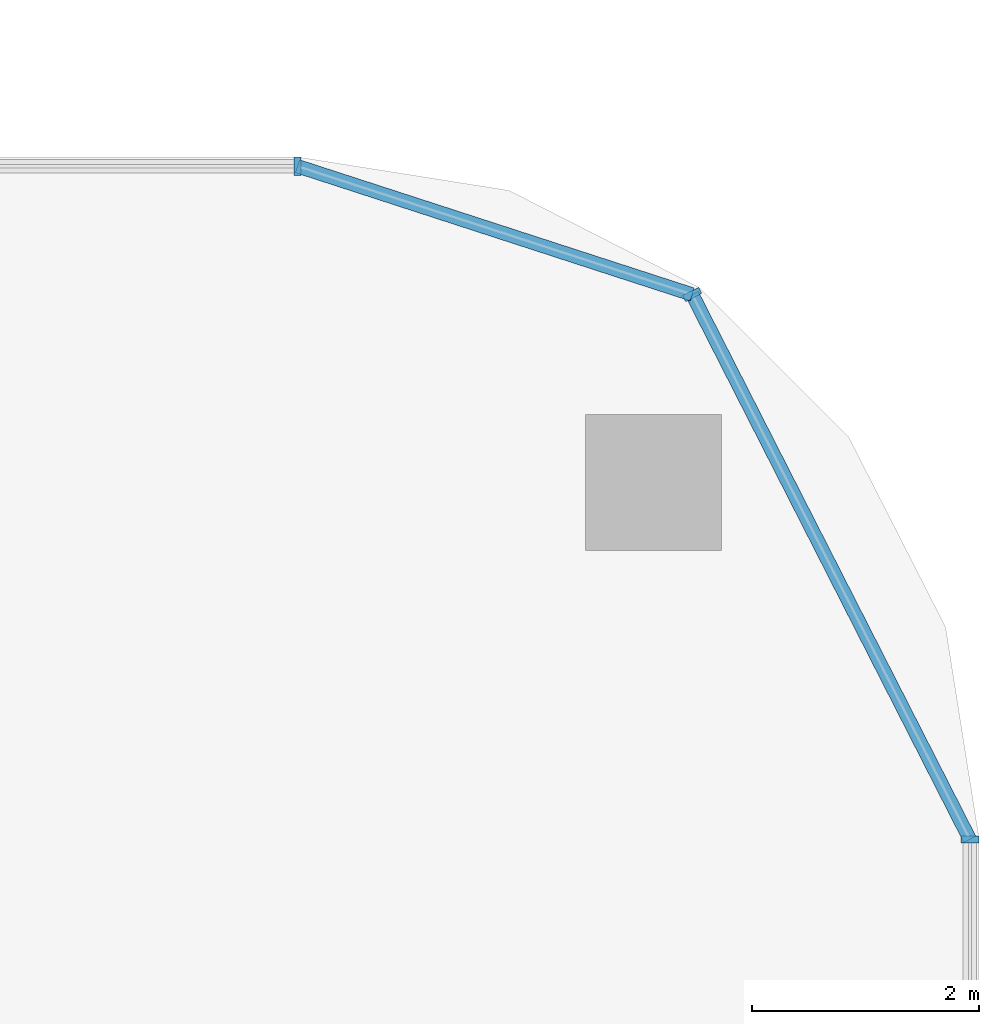
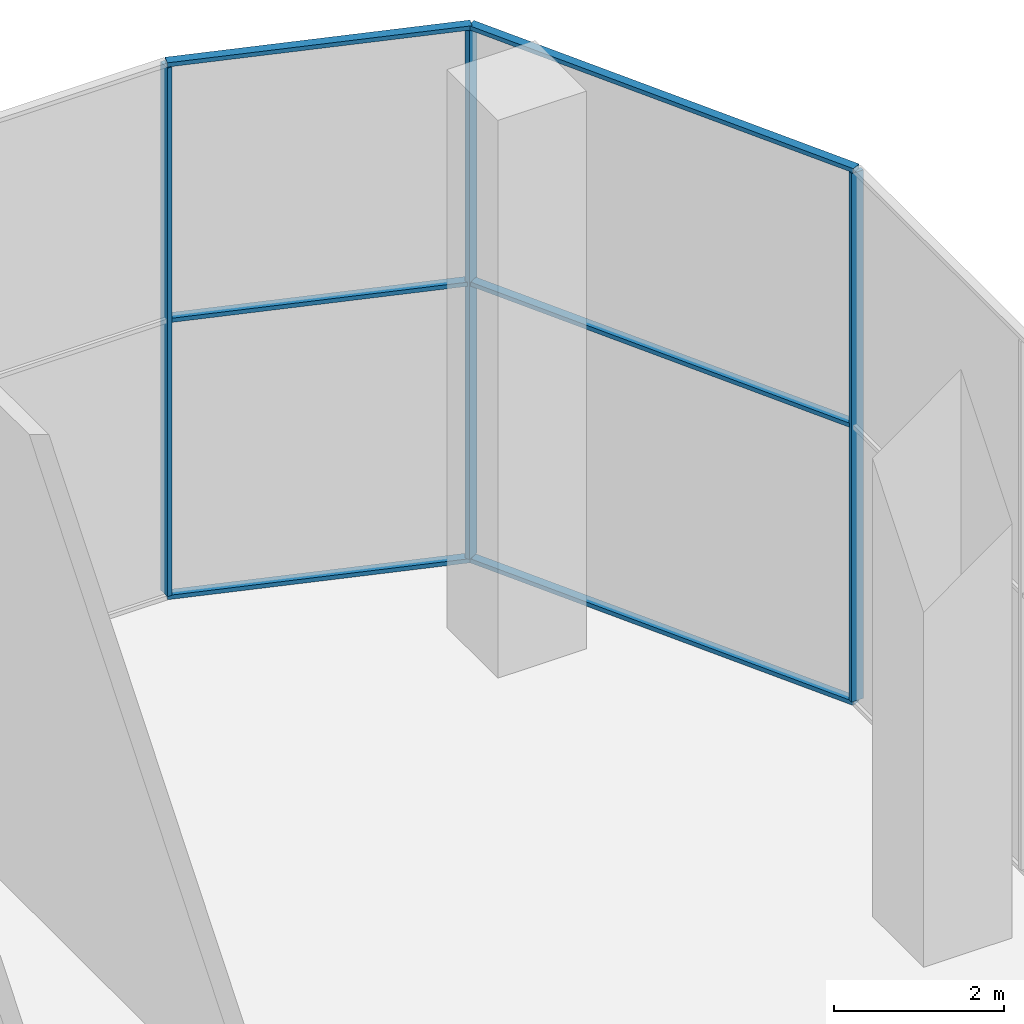
# One storey, part 21 of 54: 9 members, 3 elements without a shape of their own.
"""IFC4 building model written with IfcOpenShell, lengths in metres."""

from ifc_helpers import new_model, si_unit, direction, frame, origin, origin_2d, place, context, subcontext, project, spatial, rectangle, extrude, material, material_profile, profile_set, type_object, element, aggregate, save


model = new_model("IFC4")

# Units and contexts
model_context = context("Model", 3, precision=1e-05, world=origin(), true_north=direction((0.0, 1.0)))
body_context = subcontext(model_context, "Body", "Model", "MODEL_VIEW")
ifc_project = project(units=[si_unit("LENGTHUNIT", "METRE"), si_unit("AREAUNIT", "SQUARE_METRE"), si_unit("VOLUMEUNIT", "CUBIC_METRE"), si_unit("PLANEANGLEUNIT", "RADIAN"), si_unit("MASSUNIT", "GRAM", prefix="KILO")], contexts=[model_context])

# Site, building, storey
site_placement = place(None, origin())
site = spatial("IfcSite", under=ifc_project, at=site_placement, CompositionType="ELEMENT")
building_placement = place(site_placement, origin())
building = spatial("IfcBuilding", under=site, at=building_placement, Name="Ogive Portal Towers", CompositionType="ELEMENT")
storey_placement = place(building_placement, origin())
storey = spatial("IfcBuildingStorey", under=building, at=storey_placement, Name="L00", CompositionType="ELEMENT", Elevation=0.0)

# Curtain wall, member
ifc_material_1 = material(Name="Glass, clear low-iron insulated glazing", Category="glass")
curtain_wall_type = type_object("IfcCurtainWallType", Name="CW PODIUM SHOPFRONT", PredefinedType="NOTDEFINED", material=ifc_material_1)
curtain_wall_1_placement = place(storey_placement, origin())
curtain_wall_1 = element("IfcCurtainWall", 1, at=curtain_wall_1_placement, inside=storey, type_object=curtain_wall_type, Name="B:L00:f05:cw1", PredefinedType="NOTDEFINED")
ifc_material_2 = material(Name="Aluminium 6063 anodised", Category="aluminium")
ifc_material_profile_1 = material_profile(ifc_material_2, rectangle(XDim=0.159912109375, YDim=0.06005859375, at=origin_2d()), Name="AL 60x160")
ifc_profile_set_1 = profile_set([ifc_material_profile_1], Name="Aluminium 6063 anodised")
member_type_1 = type_object("IfcMemberType", Name="CW MULLION 60x160", PredefinedType="MULLION", material=ifc_profile_set_1)
member_1_placement = place(storey_placement, frame((159.919921875, 43.980712890625, 0.06005859375), z_axis=(0.0, 0.0, 1.0), x_axis=(-1.0, 0.0, 0.0)))
member_1 = element("IfcMember", 2, at=member_1_placement, type_object=member_type_1, Name="mullion", PredefinedType="MULLION", context=body_context, shape_type="SweptSolid", body=[
    extrude(rectangle(XDim=0.159912109375, YDim=0.06005859375, at=origin_2d()), origin(), (0.0, 0.0, 1.0), 7.579833984375),
])
aggregate(curtain_wall_1, [member_1])

curtain_wall_2_placement = place(storey_placement, origin())
curtain_wall_2 = element("IfcCurtainWall", 3, at=curtain_wall_2_placement, inside=storey, type_object=curtain_wall_type, Name="B:L00:f08:cw0", PredefinedType="NOTDEFINED")
member_2_placement = place(storey_placement, frame((153.9873046875, 49.919921875, 0.06005859375), z_axis=(0.0, 0.0, 1.0), x_axis=(0.0, -1.0, 0.0)))
member_2 = element("IfcMember", 4, at=member_2_placement, type_object=member_type_1, Name="mullion", PredefinedType="MULLION", context=body_context, shape_type="SweptSolid", body=[
    extrude(rectangle(XDim=0.159912109375, YDim=0.06005859375, at=origin_2d()), origin(), (0.0, 0.0, 1.0), 7.579833984375),
])
aggregate(curtain_wall_2, [member_2])

# Curtain wall, members
curtain_wall_3_placement = place(storey_placement, origin())
curtain_wall_3 = element("IfcCurtainWall", 5, at=curtain_wall_3_placement, inside=storey, type_object=curtain_wall_type, Name="B:L00:f06:cwa", PredefinedType="NOTDEFINED")
member_3_placement = place(storey_placement, frame((157.470458984375, 48.788330078125, 0.06005859375), z_axis=(0.0, 0.0, 1.0), x_axis=(-0.891006524188, -0.45399049974, 0.0)))
member_3 = element("IfcMember", 6, at=member_3_placement, type_object=member_type_1, Name="mullion", PredefinedType="MULLION", context=body_context, shape_type="SweptSolid", body=[
    extrude(rectangle(XDim=0.159912109375, YDim=0.06005859375, at=origin_2d()), origin(), (0.0, 0.0, 1.0), 7.579833984375),
])
ifc_material_profile_2 = material_profile(ifc_material_2, rectangle(XDim=0.1201171875, YDim=0.06005859375, at=origin_2d()), Name="AL 120x60")
ifc_profile_set_2 = profile_set([ifc_material_profile_2], Name="Aluminium 6063 anodised")
member_type_2 = type_object("IfcMemberType", Name="CW TRANSOM 60x120", PredefinedType="USERDEFINED", material=ifc_profile_set_2)
member_4_placement = place(storey_placement, frame((159.919921875, 43.980712890625, 0.030029296875), z_axis=(-0.453969839149, 0.891017050983, 0.0), x_axis=(-0.891017050983, -0.453969839149, 0.0)))
member_4 = element("IfcMember", 7, at=member_4_placement, type_object=member_type_2, Name="transom", ObjectType="TRANSOM", PredefinedType="USERDEFINED", context=body_context, shape_type="SweptSolid", body=[
    extrude(rectangle(XDim=0.1201171875, YDim=0.06005859375, at=origin_2d()), origin(), (0.0, 0.0, 1.0), 5.395751953125),
])
member_5_placement = place(storey_placement, frame((159.919921875, 43.980712890625, 4.0), z_axis=(-0.453969839149, 0.891017050983, 0.0), x_axis=(-0.891017050983, -0.453969839149, 0.0)))
member_5 = element("IfcMember", 8, at=member_5_placement, type_object=member_type_2, Name="transom", ObjectType="TRANSOM", PredefinedType="USERDEFINED", context=body_context, shape_type="SweptSolid", body=[
    extrude(rectangle(XDim=0.1201171875, YDim=0.06005859375, at=origin_2d()), origin(), (0.0, 0.0, 1.0), 5.395751953125),
])
member_6_placement = place(storey_placement, frame((159.919921875, 43.980712890625, 7.669921875), z_axis=(-0.453969839149, 0.891017050983, 0.0), x_axis=(-0.891017050983, -0.453969839149, 0.0)))
member_6 = element("IfcMember", 9, at=member_6_placement, type_object=member_type_2, Name="transom", ObjectType="TRANSOM", PredefinedType="USERDEFINED", context=body_context, shape_type="SweptSolid", body=[
    extrude(rectangle(XDim=0.1201171875, YDim=0.06005859375, at=origin_2d()), origin(), (0.0, 0.0, 1.0), 5.395751953125),
])
member_7_placement = place(storey_placement, frame((157.470458984375, 48.788330078125, 0.030029296875), z_axis=(-0.951068844598, 0.308979049184, 0.0), x_axis=(-0.308979049184, -0.951068844598, 0.0)))
member_7 = element("IfcMember", 10, at=member_7_placement, type_object=member_type_2, Name="transom", ObjectType="TRANSOM", PredefinedType="USERDEFINED", context=body_context, shape_type="SweptSolid", body=[
    extrude(rectangle(XDim=0.1201171875, YDim=0.06005859375, at=origin_2d()), origin(), (0.0, 0.0, 1.0), 3.662353515625),
])
member_8_placement = place(storey_placement, frame((157.470458984375, 48.788330078125, 4.0), z_axis=(-0.951068844598, 0.308979049184, 0.0), x_axis=(-0.308979049184, -0.951068844598, 0.0)))
member_8 = element("IfcMember", 11, at=member_8_placement, type_object=member_type_2, Name="transom", ObjectType="TRANSOM", PredefinedType="USERDEFINED", context=body_context, shape_type="SweptSolid", body=[
    extrude(rectangle(XDim=0.1201171875, YDim=0.06005859375, at=origin_2d()), origin(), (0.0, 0.0, 1.0), 3.662353515625),
])
member_9_placement = place(storey_placement, frame((157.470458984375, 48.788330078125, 7.669921875), z_axis=(-0.951068844598, 0.308979049184, 0.0), x_axis=(-0.308979049184, -0.951068844598, 0.0)))
member_9 = element("IfcMember", 12, at=member_9_placement, type_object=member_type_2, Name="transom", ObjectType="TRANSOM", PredefinedType="USERDEFINED", context=body_context, shape_type="SweptSolid", body=[
    extrude(rectangle(XDim=0.1201171875, YDim=0.06005859375, at=origin_2d()), origin(), (0.0, 0.0, 1.0), 3.662353515625),
])
aggregate(curtain_wall_3, [member_4, member_5, member_6, member_7, member_8, member_9, member_3])

save(model, "model.ifc")
